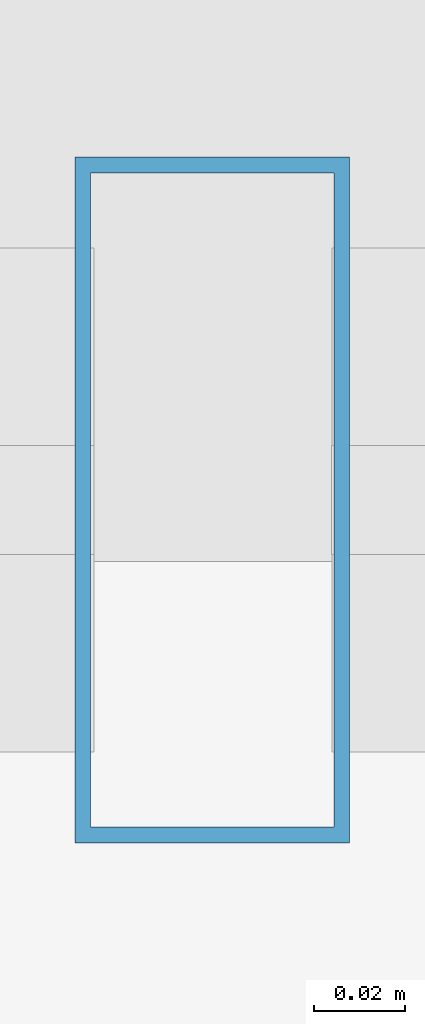
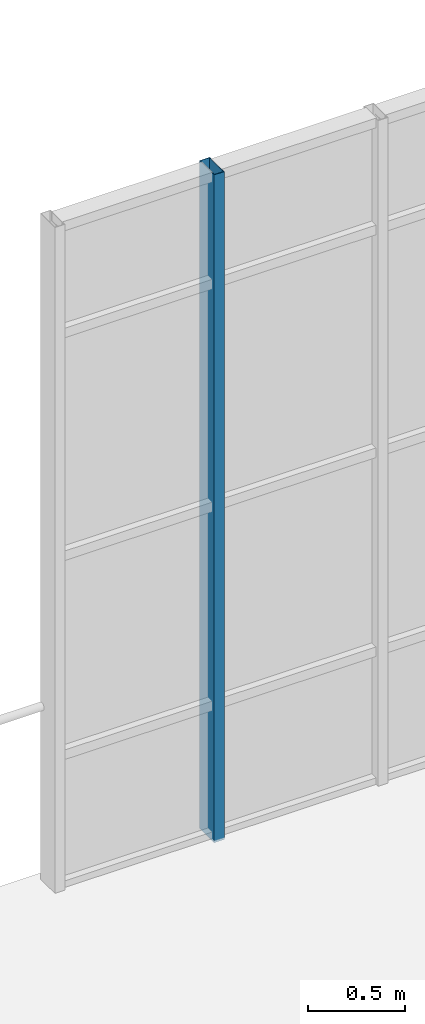
# One storey, part 63 of 142: 1 member, 1 element without a shape of its own.
"""IFC4 building model written with IfcOpenShell, lengths in metres."""

from ifc_helpers import new_model, si_unit, direction, frame, origin, origin_2d, place, context, subcontext, project, spatial, hollow_rectangle, extrude, material, layer, layer_set, material_profile, profile_set, type_object, element, aggregate, save


model = new_model("IFC4")

# Units and contexts
model_context = context("Model", 3, precision=1e-05, world=origin(), true_north=direction((0.0, 1.0)))
body_context = subcontext(model_context, "Body", "Model", "MODEL_VIEW")
ifc_project = project(units=[si_unit("LENGTHUNIT", "METRE"), si_unit("AREAUNIT", "SQUARE_METRE"), si_unit("VOLUMEUNIT", "CUBIC_METRE"), si_unit("PLANEANGLEUNIT", "RADIAN"), si_unit("MASSUNIT", "GRAM", prefix="KILO"), si_unit("THERMODYNAMICTEMPERATUREUNIT", "KELVIN"), si_unit("POWERUNIT", "WATT")], contexts=[model_context])

# Site, building, storey
site_placement = place(None, origin())
site = spatial("IfcSite", under=ifc_project, at=site_placement, CompositionType="ELEMENT")
building_placement = place(site_placement, origin())
building = spatial("IfcBuilding", under=site, at=building_placement, Name="Zelmaris Science Centre", CompositionType="ELEMENT")
storey_placement = place(building_placement, frame((0.0, 0.0, 5.39990234375)))
storey = spatial("IfcBuildingStorey", under=building, at=storey_placement, Name="L01", CompositionType="ELEMENT", Elevation=5.39990234375)

# Curtain wall, member
ifc_material = material(Name="Anodised architectural aluminium 6063-T6", Category="aluminium")
ifc_layer = layer(ifc_material, 0.219970703125, Name="Anodised architectural aluminium 6063-T6")
ifc_layer_set = layer_set([ifc_layer], Name="Anodised architectural aluminium 6063-T6")
curtain_wall_type = type_object("IfcCurtainWallType", Name="Curtain Wall CW-04", PredefinedType="USERDEFINED", material=ifc_layer_set)
curtain_wall_placement = place(storey_placement, origin())
curtain_wall = element("IfcCurtainWall", 1, at=curtain_wall_placement, inside=storey, type_object=curtain_wall_type, Name="L01 Unitised curtain wall 132", ObjectType="GLAZED CURTAIN WALL", PredefinedType="USERDEFINED")
ifc_material_profile = material_profile(ifc_material, hollow_rectangle(XDim=0.06005859375, YDim=0.14990234375, WallThickness=0.00341796875, at=origin_2d()), Name="ALU-MUL-60X150")
ifc_profile_set = profile_set([ifc_material_profile], Name="Anodised architectural aluminium 6063-T6")
member_type = type_object("IfcMemberType", Name="ALU-MUL-60X150", PredefinedType="MULLION", material=ifc_profile_set)
member_placement = place(storey_placement, frame((64.514892578125, 87.8798828125, -0.014892578125), z_axis=(0.0, 0.0, 1.0), x_axis=(1.0, 0.0, 0.0)))
member = element("IfcMember", 2, at=member_placement, type_object=member_type, Name="CW-04 mullion 2", PredefinedType="MULLION", context=body_context, shape_type="SweptSolid", body=[
    extrude(hollow_rectangle(XDim=0.06005859375, YDim=0.14990234375, WallThickness=0.00341796875, at=origin_2d()), origin(), (0.0, 0.0, 1.0), 4.2060546875),
])
aggregate(curtain_wall, [member])

save(model, "model.ifc")
